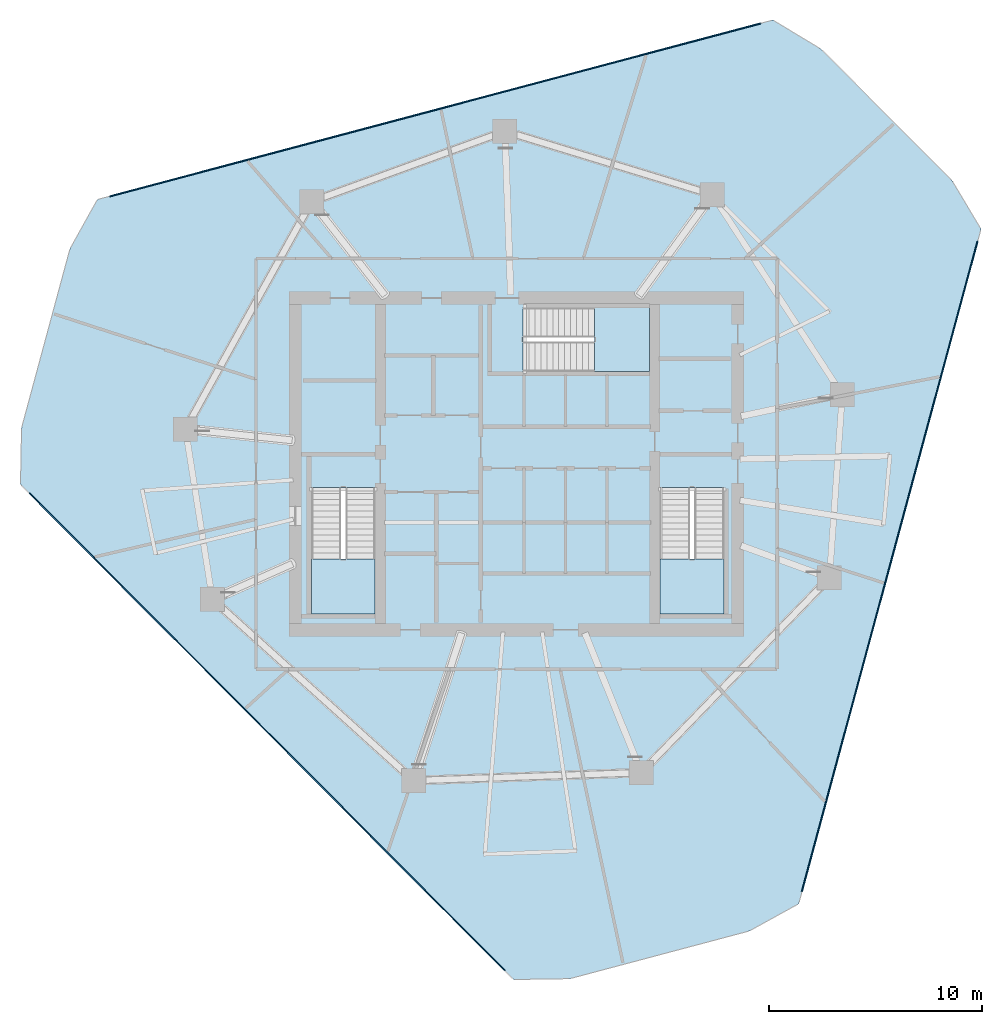
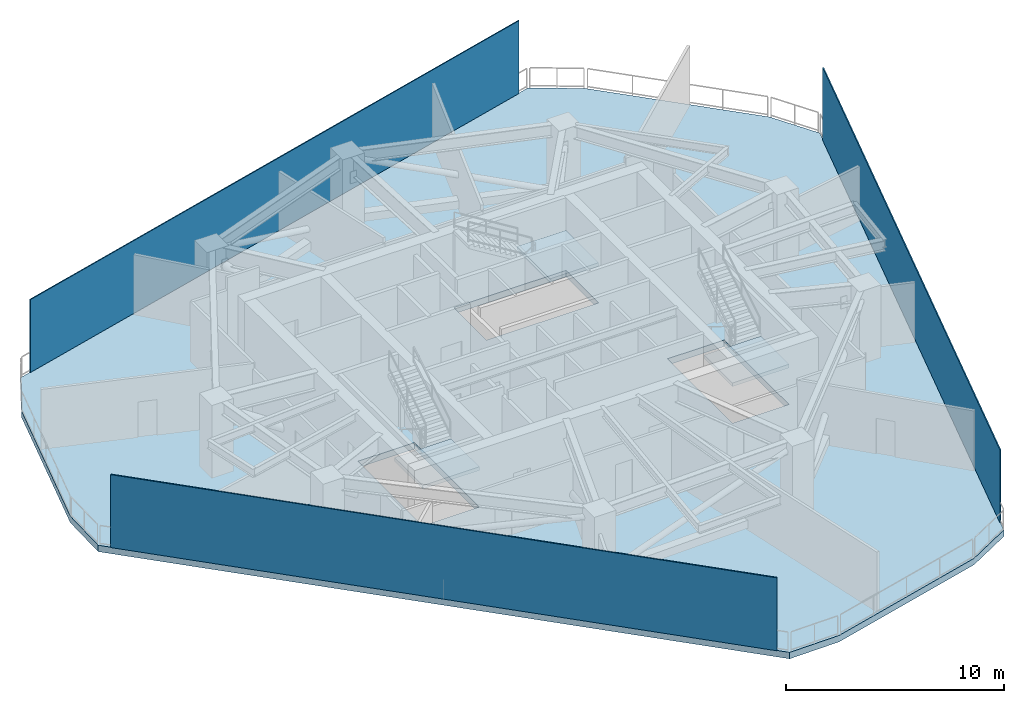
# One storey, part 2 of 7: 4 slabs, 3 plates, 3 elements without a shape of their own.
"""IFC4 building model written with IfcOpenShell, lengths in metres."""

from ifc_helpers import new_model, si_unit, direction, frame, origin, origin_2d, place, context, subcontext, project, spatial, polyline, rectangle, outline, extrude, material, layer, layer_set, type_object, element, aggregate, save


model = new_model("IFC4")

# Units and contexts
model_context = context("Model", 3, precision=1e-05, world=origin(), true_north=direction((0.0, 1.0)))
body_context = subcontext(model_context, "Body", "Model", "MODEL_VIEW")
ifc_project = project(units=[si_unit("LENGTHUNIT", "METRE"), si_unit("AREAUNIT", "SQUARE_METRE"), si_unit("VOLUMEUNIT", "CUBIC_METRE"), si_unit("PLANEANGLEUNIT", "RADIAN"), si_unit("MASSUNIT", "GRAM", prefix="KILO")], contexts=[model_context])

# Site, building, storey
site_placement = place(None, origin())
site = spatial("IfcSite", under=ifc_project, at=site_placement, CompositionType="ELEMENT")
building_placement = place(site_placement, origin())
building = spatial("IfcBuilding", under=site, at=building_placement, Name="Qarnah Convention Tower", CompositionType="ELEMENT")
storey_placement = place(building_placement, frame((0.0, 0.0, 121.199951171875)))
storey = spatial("IfcBuildingStorey", under=building, at=storey_placement, Name="L32", CompositionType="ELEMENT", Elevation=121.199951171875)

# Plates
ifc_material_1 = material(Name="Black anodised aluminium", Category="aluminium")
ifc_layer_1 = layer(ifc_material_1, 0.054931640625)
ifc_layer_set_1 = layer_set([ifc_layer_1], Name="Black anodised aluminium")
plate_type = type_object("IfcPlateType", Name="SCR-SKG-24", PredefinedType="USERDEFINED", material=ifc_layer_set_1)
for number, where, z_axis, x_axis, name in (
    (1, (25.469970703125, 13.803955078125, 0.0), (0.0, 0.0, 1.0), (-0.705629217279, 0.708581264021, 0.0), "L32 mechanical plant acoustic solar screen 1"),
    (2, (54.7451171875, 21.583984375, 0.0), (0.0, 0.0, 1.0), (-0.260821287327, -0.965387101673, 0.0), "L32 mechanical plant acoustic solar screen 2"),
    (3, (33.37109375, 43.047119140625, 0.0), (0.0, 0.0, 1.0), (0.966463087513, 0.2568055694, 0.0), "L32 mechanical plant acoustic solar screen 3"),
):
    element("IfcPlate", number, at=place(storey_placement, frame(where, z_axis=z_axis, x_axis=x_axis)), inside=storey, type_object=plate_type, Name=name, ObjectType="SCREEN", PredefinedType="USERDEFINED", context=body_context, shape_type="SweptSolid", body=[
        extrude(rectangle(XDim=31.64990234375, YDim=0.054931640625, at=origin_2d()), origin(), (0.0, 0.0, 1.0), 4.080078125),
    ])

# Stair, slab
ifc_material_2 = material(Name="Concrete C50/60", Category="concrete")
stair_type = type_object("IfcStairType", Name="STR-PLT", PredefinedType="HALF_TURN_STAIR", material=ifc_material_2)
stair_1_placement = place(storey_placement, origin())
stair_1 = element("IfcStair", 4, at=stair_1_placement, inside=storey, type_object=stair_type, Name="L32 Core exit stair ST-1", PredefinedType="HALF_TURN_STAIR")
ifc_layer_2 = layer(ifc_material_2, 0.199951171875)
ifc_layer_set_2 = layer_set([ifc_layer_2], Name="Concrete C50/60")
slab_type_1 = type_object("IfcSlabType", Name="SLB-LANDING-200", PredefinedType="LANDING", material=ifc_layer_set_2)
slab_1_placement = place(storey_placement, frame((0.0, 0.0, 2.050048828125)))
slab_1 = element("IfcSlab", 5, at=slab_1_placement, type_object=slab_type_1, Name="ST-1 landing 1", PredefinedType="LANDING", context=body_context, shape_type="SweptSolid", body=[
    extrude(outline(polyline([(27.550048828125, 21.93994140625), (27.550048828125, 19.35009765625), (30.550048828125, 19.35009765625), (30.550048828125, 21.93994140625), (27.550048828125, 21.93994140625)])), origin(), (0.0, 0.0, 1.0), 0.199951171875),
])
aggregate(stair_1, [slab_1])

stair_2_placement = place(storey_placement, origin())
stair_2 = element("IfcStair", 6, at=stair_2_placement, inside=storey, type_object=stair_type, Name="L32 Core exit stair ST-2", PredefinedType="HALF_TURN_STAIR")
slab_2_placement = place(storey_placement, frame((0.0, 0.0, 2.050048828125)))
slab_2 = element("IfcSlab", 7, at=slab_2_placement, type_object=slab_type_1, Name="ST-2 landing 1", PredefinedType="LANDING", context=body_context, shape_type="SweptSolid", body=[
    extrude(outline(polyline([(43.949951171875, 21.93994140625), (43.949951171875, 19.35009765625), (46.949951171875, 19.35009765625), (46.949951171875, 21.93994140625), (43.949951171875, 21.93994140625)])), origin(), (0.0, 0.0, 1.0), 0.199951171875),
])
aggregate(stair_2, [slab_2])

stair_3_placement = place(storey_placement, origin())
stair_3 = element("IfcStair", 8, at=stair_3_placement, inside=storey, type_object=stair_type, Name="L32 Core exit stair ST-3", PredefinedType="HALF_TURN_STAIR")
slab_3_placement = place(storey_placement, frame((0.0, 0.0, 2.050048828125)))
slab_3 = element("IfcSlab", 9, at=slab_3_placement, type_object=slab_type_1, Name="ST-3 landing 1", PredefinedType="LANDING", context=body_context, shape_type="SweptSolid", body=[
    extrude(outline(polyline([(40.860107421875, 30.75), (43.449951171875, 30.75), (43.449951171875, 33.75), (40.860107421875, 33.75), (40.860107421875, 30.75)])), origin(), (0.0, 0.0, 1.0), 0.199951171875),
])
aggregate(stair_3, [slab_3])

# Slab
ifc_layer_3 = layer(ifc_material_2, 0.360107421875)
ifc_layer_set_3 = layer_set([ifc_layer_3], Name="Concrete C50/60")
slab_type_2 = type_object("IfcSlabType", Name="SLB-PLT-360", PredefinedType="FLOOR", material=ifc_layer_set_3)
slab_4_placement = place(storey_placement, frame((0.0, 0.0, -0.35986328125)))
element("IfcSlab", 10, at=slab_4_placement, inside=storey, type_object=slab_type_2, Name="L32 structural floor slab", PredefinedType="FLOOR", context=body_context, shape_type="SweptSolid", body=[
    extrude(outline(polyline([(49.2451171875, 47.264892578125), (17.4970703125, 38.8291015625), (16.2080078125, 36.514892578125), (13.931884765625, 28.092041015625), (13.8798828125, 25.443115234375), (37.06005859375, 2.166015625), (39.7080078125, 2.20703125), (48.14111328125, 4.447998046875), (50.4609375, 5.72705078125), (59.029052734375, 37.43994140625), (57.669921875, 39.712890625), (51.512939453125, 45.89599609375), (49.2451171875, 47.264892578125)]), holes=[polyline([(27.550048828125, 25.300048828125), (27.550048828125, 19.35009765625), (30.550048828125, 19.35009765625), (30.550048828125, 25.300048828125), (27.550048828125, 25.300048828125)]), polyline([(43.949951171875, 25.300048828125), (43.949951171875, 19.35009765625), (46.949951171875, 19.35009765625), (46.949951171875, 25.300048828125), (43.949951171875, 25.300048828125)]), polyline([(37.5, 30.75), (43.449951171875, 30.75), (43.449951171875, 33.75), (37.5, 33.75), (37.5, 30.75)])]), origin(), (0.0, 0.0, 1.0), 0.35986328125),
])

save(model, "model.ifc")
